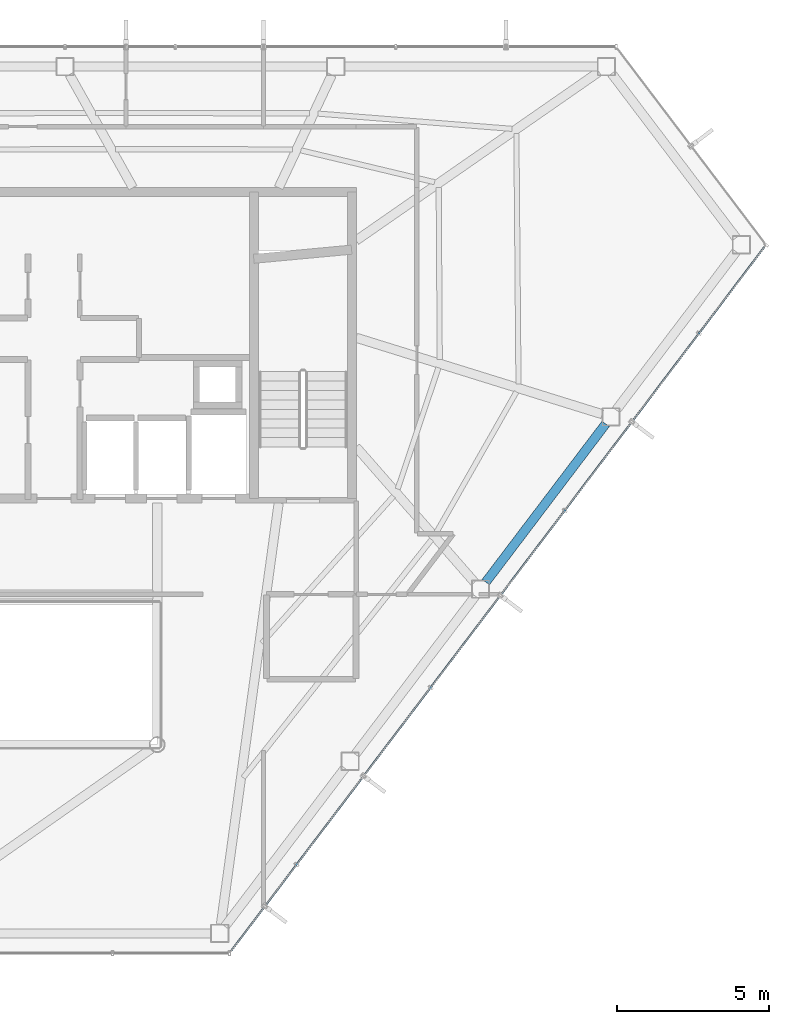
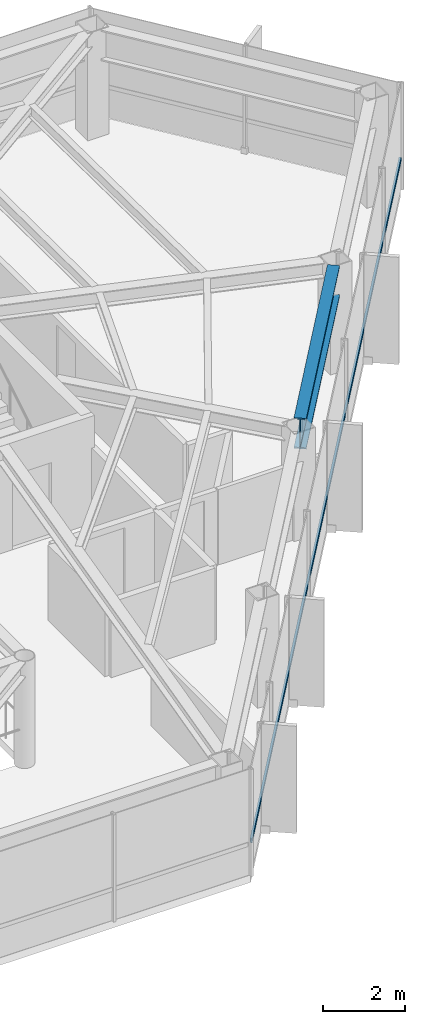
# One storey, part 18 of 27: 1 beam, 1 member, 1 element without a shape of its own.
"""IFC4 building model written with IfcOpenShell, lengths in metres."""

from ifc_helpers import new_model, si_unit, direction, frame, origin, origin_2d, place, context, subcontext, project, spatial, hollow_rectangle, i_section, extrude, material, layer, layer_set, material_profile, profile_set, type_object, element, aggregate, save


model = new_model("IFC4")

# Units and contexts
model_context = context("Model", 3, precision=1e-05, world=origin(), true_north=direction((0.0, 1.0)))
body_context = subcontext(model_context, "Body", "Model", "MODEL_VIEW")
ifc_project = project(units=[si_unit("LENGTHUNIT", "METRE"), si_unit("AREAUNIT", "SQUARE_METRE"), si_unit("VOLUMEUNIT", "CUBIC_METRE"), si_unit("PLANEANGLEUNIT", "RADIAN"), si_unit("MASSUNIT", "GRAM", prefix="KILO")], contexts=[model_context])

# Site, building, storey
site_placement = place(None, origin())
site = spatial("IfcSite", under=ifc_project, at=site_placement, CompositionType="ELEMENT")
building_placement = place(site_placement, origin())
building = spatial("IfcBuilding", under=site, at=building_placement, Name="Zarrinselat Tower", CompositionType="ELEMENT")
storey_placement = place(building_placement, frame((0.0, 0.0, 232.56005859375)))
storey = spatial("IfcBuildingStorey", under=building, at=storey_placement, Name="L58", CompositionType="ELEMENT", Elevation=232.56005859375)

# Beam
ifc_material_1 = material(Name="Steel S460M", Category="steel")
ifc_material_profile_1 = material_profile(ifc_material_1, i_section(OverallWidth=0.302001953125, OverallDepth=0.909912109375, WebThickness=0.02099609375, FlangeThickness=0.0400390625, at=origin_2d()), Name="HEM 900")
ifc_profile_set_1 = profile_set([ifc_material_profile_1], Name="Steel S460M")
beam_type = type_object("IfcBeamType", Name="BM-HEM900", PredefinedType="BEAM", material=ifc_profile_set_1)
beam_placement = place(storey_placement, frame((52.62060546875, 30.552001953125, 2.724853515625), z_axis=(0.603871350868, 0.797081797308, 0.0), x_axis=(-0.797081797308, 0.603871350868, 0.0)))
element("IfcBeam", 1, at=beam_placement, inside=storey, type_object=beam_type, Name="L58 Perimeter Spandrel Girder SP13", PredefinedType="BEAM", context=body_context, shape_type="SweptSolid", body=[
    extrude(i_section(OverallWidth=0.302001953125, OverallDepth=0.909912109375, WebThickness=0.02099609375, FlangeThickness=0.0400390625, at=origin_2d()), origin(), (0.0, 0.0, 1.0), 6.53662109375),
])

# Curtain wall, member
ifc_material_2 = material(Name="Extruded Aluminium Alloy EN AW-6063 T6", Category="aluminium")
ifc_layer = layer(ifc_material_2, 0.169921875)
ifc_layer_set = layer_set([ifc_layer], Name="Extruded Aluminium Alloy EN AW-6063 T6")
curtain_wall_type = type_object("IfcCurtainWallType", Name="CWS-RES", PredefinedType="NOTDEFINED", material=ifc_layer_set)
curtain_wall_placement = place(storey_placement, origin())
curtain_wall = element("IfcCurtainWall", 2, at=curtain_wall_placement, inside=storey, type_object=curtain_wall_type, Name="L58 Unitised Curtain Wall CW-L58-E05", PredefinedType="NOTDEFINED")
ifc_material_3 = material(Name="Extruded Aluminium Alloy EN AW-6063 T6", Category="aluminium")
ifc_material_profile_2 = material_profile(ifc_material_3, hollow_rectangle(XDim=0.06005859375, YDim=0.1201171875, WallThickness=0.00390625, at=origin_2d()), Name="RHS 120x60x4")
ifc_profile_set_2 = profile_set([ifc_material_profile_2], Name="Extruded Aluminium Alloy EN AW-6063 T6")
member_type = type_object("IfcMemberType", Name="MEM-CW-TRN2", PredefinedType="USERDEFINED", material=ifc_profile_set_2)
member_placement = place(storey_placement, frame((44.234375, 18.40576171875, 0.949951171875), z_axis=(0.603860920201, 0.797089699503, 0.0), x_axis=(-0.797089699503, 0.603860920201, 0.0)))
member = element("IfcMember", 3, at=member_placement, type_object=member_type, Name="CW-L58-E05 Transom 1", ObjectType="TRANSOM", PredefinedType="USERDEFINED", context=body_context, shape_type="SweptSolid", body=[
    extrude(hollow_rectangle(XDim=0.06005859375, YDim=0.1201171875, WallThickness=0.00390625, at=origin_2d()), origin(), (0.0, 0.0, 1.0), 29.085205078125),
])
aggregate(curtain_wall, [member])

save(model, "model.ifc")
